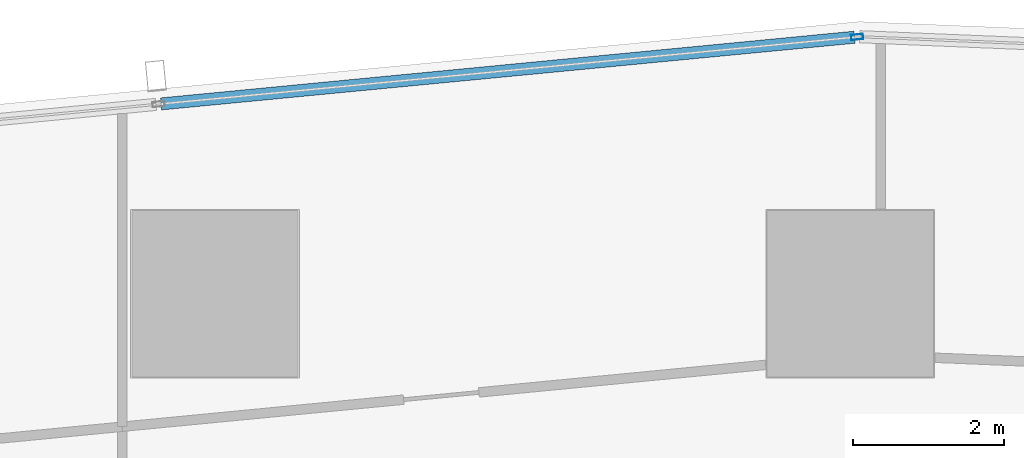
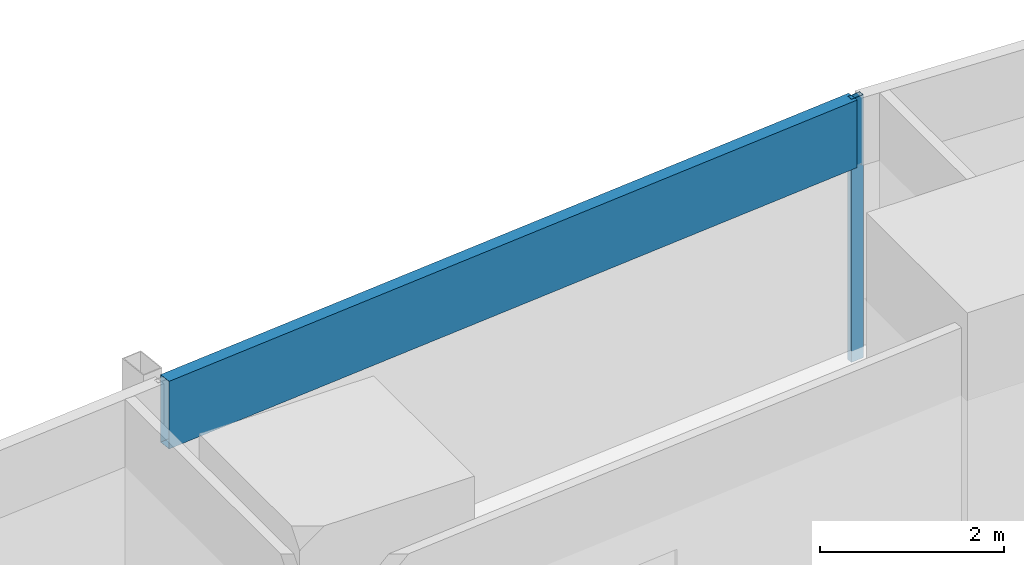
# One storey, part 17 of 42: 2 members, 1 element without a shape of its own.
"""IFC4 building model written with IfcOpenShell, lengths in metres."""

from ifc_helpers import new_model, si_unit, direction, frame, origin, origin_2d, place, context, subcontext, project, spatial, hollow_rectangle, extrude, material, material_profile, profile_set, type_object, element, aggregate, save


model = new_model("IFC4")

# Units and contexts
model_context = context("Model", 3, precision=1e-05, world=origin(), true_north=direction((0.0, 1.0)))
body_context = subcontext(model_context, "Body", "Model", "MODEL_VIEW")
ifc_project = project(units=[si_unit("LENGTHUNIT", "METRE"), si_unit("AREAUNIT", "SQUARE_METRE"), si_unit("VOLUMEUNIT", "CUBIC_METRE"), si_unit("PLANEANGLEUNIT", "RADIAN"), si_unit("MASSUNIT", "GRAM", prefix="KILO")], contexts=[model_context])

# Site, building, storey
site_placement = place(None, origin())
site = spatial("IfcSite", under=ifc_project, at=site_placement, CompositionType="ELEMENT")
building_placement = place(site_placement, origin())
building = spatial("IfcBuilding", under=site, at=building_placement, Name="Rekha Terrace Tower", CompositionType="ELEMENT")
storey_placement = place(building_placement, frame((0.0, 0.0, 40.39990234375)))
storey = spatial("IfcBuildingStorey", under=building, at=storey_placement, Name="L09", CompositionType="ELEMENT", Elevation=40.39990234375)

# Curtain wall, members
ifc_material_1 = material(Name="Aluminium framing", Category="aluminium")
curtain_wall_type = type_object("IfcCurtainWallType", Name="CW3 north unitised glazing", PredefinedType="USERDEFINED", material=ifc_material_1)
curtain_wall_placement = place(storey_placement, origin())
curtain_wall = element("IfcCurtainWall", 1, at=curtain_wall_placement, inside=storey, type_object=curtain_wall_type, Name="CW3 unitised curtain wall", ObjectType="UNITISED CURTAIN WALL", PredefinedType="USERDEFINED")
ifc_material_2 = material(Name="Aluminium mullion section", Category="aluminium")
ifc_material_profile_1 = material_profile(ifc_material_2, hollow_rectangle(XDim=0.070068359375, YDim=0.159912109375, WallThickness=0.00390625, at=origin_2d()), Name="AL RHS 70x160")
ifc_profile_set_1 = profile_set([ifc_material_profile_1], Name="Aluminium mullion section")
member_type_1 = type_object("IfcMemberType", Name="CW3 mullion RHS 70 x 160", PredefinedType="MULLION", material=ifc_profile_set_1)
member_1_placement = place(storey_placement, frame((25.29052734375, 62.1962890625, 0.0), z_axis=(0.0, 0.0, 1.0), x_axis=(0.095712406625, -0.995409029102, 0.0)))
member_1 = element("IfcMember", 2, at=member_1_placement, type_object=member_type_1, Name="CW3 mullion 1", PredefinedType="MULLION", context=body_context, shape_type="SweptSolid", body=[
    extrude(hollow_rectangle(XDim=0.070068359375, YDim=0.159912109375, WallThickness=0.00390625, at=origin_2d()), origin(), (0.0, 0.0, 1.0), 3.5),
])
ifc_material_3 = material(Name="Insulated aluminium spandrel box", Category="aluminium")
ifc_material_profile_2 = material_profile(ifc_material_3, hollow_rectangle(XDim=0.159912109375, YDim=0.89990234375, WallThickness=0.0029296875, at=origin_2d()), Name="AL SPANDREL BOX 160x900")
ifc_profile_set_2 = profile_set([ifc_material_profile_2], Name="Insulated aluminium spandrel box")
member_type_2 = type_object("IfcMemberType", Name="CW3 spandrel transom 160 x 900", PredefinedType="USERDEFINED", material=ifc_profile_set_2)
member_2_placement = place(storey_placement, frame((25.255859375, 62.19287109375, 3.050048828125), z_axis=(-0.995408446287, -0.095718467713, 0.0), x_axis=(0.095718467713, -0.995408446287, 0.0)))
member_2 = element("IfcMember", 3, at=member_2_placement, type_object=member_type_2, Name="CW3 spandrel transom 1", ObjectType="TRANSOM", PredefinedType="USERDEFINED", context=body_context, shape_type="SweptSolid", body=[
    extrude(hollow_rectangle(XDim=0.159912109375, YDim=0.89990234375, WallThickness=0.0029296875, at=origin_2d()), origin(), (0.0, 0.0, 1.0), 9.210205078125),
])
aggregate(curtain_wall, [member_1, member_2])

save(model, "model.ifc")
